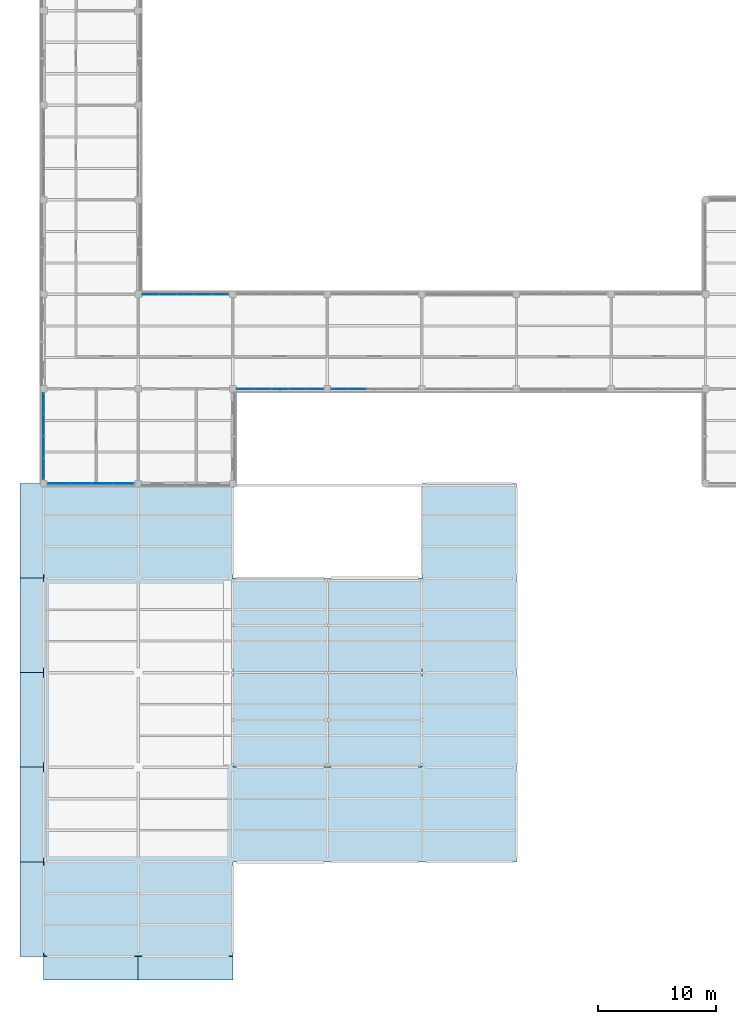
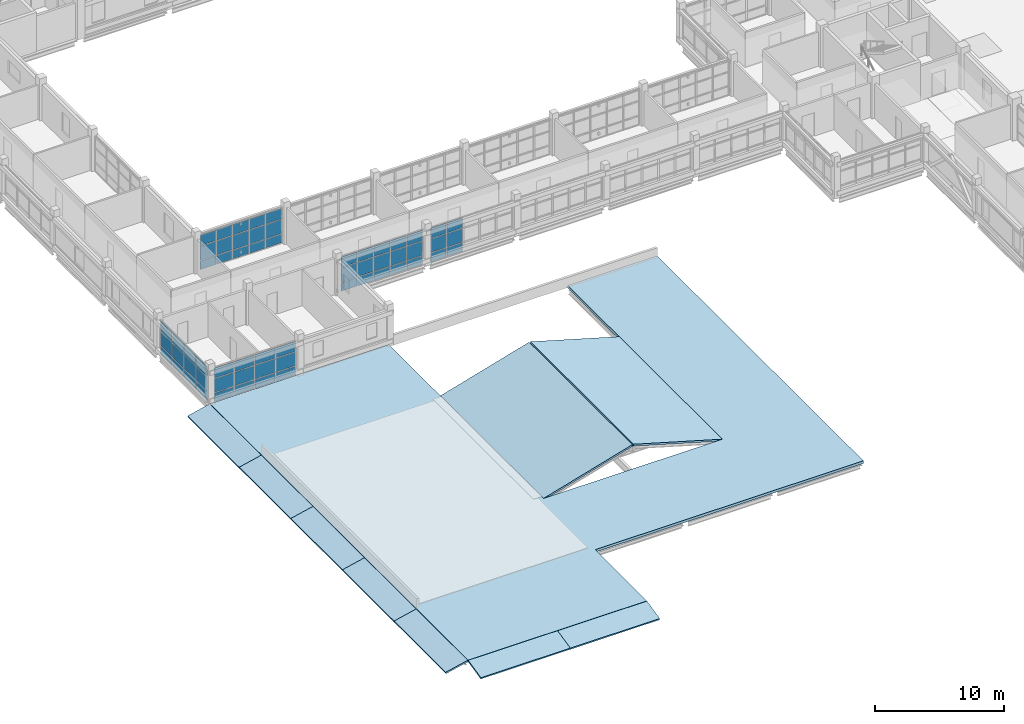
# One storey, part 55 of 107: 60 plates, 10 slabs, 5 elements without a shape of their own.
"""IFC4 building model written with IfcOpenShell, lengths in metres."""

from ifc_helpers import new_model, si_unit, derived_unit, direction, frame, origin, origin_2d, place, context, subcontext, project, spatial, polyline, rectangle, outline, extrude, material, layer, layer_set, type_object, element, aggregate, save


model = new_model("IFC4")

# Units and contexts
model_context = context("Model", 3, precision=1e-05, world=origin(), true_north=direction((0.0, 1.0)))
body_context = subcontext(model_context, "Body", "Model", "MODEL_VIEW")
ifc_project = project(units=[si_unit("LENGTHUNIT", "METRE"), si_unit("AREAUNIT", "SQUARE_METRE"), si_unit("VOLUMEUNIT", "CUBIC_METRE"), si_unit("PLANEANGLEUNIT", "RADIAN"), si_unit("MASSUNIT", "GRAM", prefix="KILO"), derived_unit("THERMALTRANSMITTANCEUNIT", [(si_unit("MASSUNIT", "GRAM", prefix="KILO"), 1), (si_unit("TIMEUNIT", "SECOND"), -3), (si_unit("THERMODYNAMICTEMPERATUREUNIT", "KELVIN"), -1)])], contexts=[model_context])

# Site, building, storey
site_placement = place(None, origin())
site = spatial("IfcSite", under=ifc_project, at=site_placement, CompositionType="ELEMENT")
building_placement = place(site_placement, origin())
building = spatial("IfcBuilding", under=site, at=building_placement, Name="Veyamyaing Civic Hall", CompositionType="ELEMENT")
storey_placement = place(building_placement, frame((0.0, 0.0, 13.860107421875)))
storey = spatial("IfcBuildingStorey", under=building, at=storey_placement, Name="L03", CompositionType="ELEMENT", Elevation=13.860107421875)

# Curtain wall, plates
ifc_material_1 = material(Name="Anodised aluminium 6063-T6", Category="aluminium")
ifc_layer_1 = layer(ifc_material_1, 0.139892578125, Name="Anodised aluminium 6063-T6")
ifc_layer_set_1 = layer_set([ifc_layer_1], Name="Anodised aluminium 6063-T6")
curtain_wall_type_1 = type_object("IfcCurtainWallType", Name="CW-04", PredefinedType="NOTDEFINED", material=ifc_layer_set_1)
curtain_wall_1_placement = place(storey_placement, origin())
curtain_wall_1 = element("IfcCurtainWall", 1, at=curtain_wall_1_placement, inside=storey, type_object=curtain_wall_type_1, Name="Unitized curtain wall CW-04 L03 S 3.7", PredefinedType="NOTDEFINED")
ifc_material_2 = material(Name="Low-E insulated glass", Category="glass")
ifc_layer_2 = layer(ifc_material_2, 0.028076171875, Name="Low-E insulated glass")
ifc_layer_set_2 = layer_set([ifc_layer_2], Name="Low-E insulated glass")
plate_type_1 = type_object("IfcPlateType", Name="CWP-01", PredefinedType="CURTAIN_PANEL", material=ifc_layer_set_2)
plate_1_placement = place(storey_placement, frame((17.05908203125, 48.0, 0.059814453125), z_axis=(0.0, 0.0, 1.0), x_axis=(1.0, 0.0, 0.0)))
plate_1 = element("IfcPlate", 2, at=plate_1_placement, type_object=plate_type_1, Name="CW-04 panel 1.1", PredefinedType="CURTAIN_PANEL", context=body_context, shape_type="SweptSolid", body=[
    extrude(rectangle(XDim=1.387939453125, YDim=0.028076171875, at=origin_2d()), origin(), (0.0, 0.0, 1.0), 0.81005859375),
])
plate_2_placement = place(storey_placement, frame((17.05908203125, 48.0, 0.929931640625), z_axis=(0.0, 0.0, 1.0), x_axis=(1.0, 0.0, 0.0)))
plate_2 = element("IfcPlate", 3, at=plate_2_placement, type_object=plate_type_1, Name="CW-04 panel 1.2", PredefinedType="CURTAIN_PANEL", context=body_context, shape_type="SweptSolid", body=[
    extrude(rectangle(XDim=1.387939453125, YDim=0.028076171875, at=origin_2d()), origin(), (0.0, 0.0, 1.0), 1.32958984375),
])
plate_3_placement = place(storey_placement, frame((17.05908203125, 48.0, 2.319580078125), z_axis=(0.0, 0.0, 1.0), x_axis=(1.0, 0.0, 0.0)))
plate_3 = element("IfcPlate", 4, at=plate_3_placement, type_object=plate_type_1, Name="CW-04 panel 1.3", PredefinedType="CURTAIN_PANEL", context=body_context, shape_type="SweptSolid", body=[
    extrude(rectangle(XDim=1.387939453125, YDim=0.028076171875, at=origin_2d()), origin(), (0.0, 0.0, 1.0), 0.9873046875),
])
plate_4_placement = place(storey_placement, frame((18.52197265625, 48.0, 0.059814453125), z_axis=(0.0, 0.0, 1.0), x_axis=(1.0, 0.0, 0.0)))
plate_4 = element("IfcPlate", 5, at=plate_4_placement, type_object=plate_type_1, Name="CW-04 panel 2.1", PredefinedType="CURTAIN_PANEL", context=body_context, shape_type="SweptSolid", body=[
    extrude(rectangle(XDim=1.41796875, YDim=0.028076171875, at=origin_2d()), origin(), (0.0, 0.0, 1.0), 0.81005859375),
])
plate_5_placement = place(storey_placement, frame((18.52197265625, 48.0, 0.929931640625), z_axis=(0.0, 0.0, 1.0), x_axis=(1.0, 0.0, 0.0)))
plate_5 = element("IfcPlate", 6, at=plate_5_placement, type_object=plate_type_1, Name="CW-04 panel 2.2", PredefinedType="CURTAIN_PANEL", context=body_context, shape_type="SweptSolid", body=[
    extrude(rectangle(XDim=1.41796875, YDim=0.028076171875, at=origin_2d()), origin(), (0.0, 0.0, 1.0), 1.32958984375),
])
plate_6_placement = place(storey_placement, frame((18.52197265625, 48.0, 2.319580078125), z_axis=(0.0, 0.0, 1.0), x_axis=(1.0, 0.0, 0.0)))
plate_6 = element("IfcPlate", 7, at=plate_6_placement, type_object=plate_type_1, Name="CW-04 panel 2.3", PredefinedType="CURTAIN_PANEL", context=body_context, shape_type="SweptSolid", body=[
    extrude(rectangle(XDim=1.41796875, YDim=0.028076171875, at=origin_2d()), origin(), (0.0, 0.0, 1.0), 0.9873046875),
])
plate_7_placement = place(storey_placement, frame((20.0, 48.0, 0.059814453125), z_axis=(0.0, 0.0, 1.0), x_axis=(1.0, 0.0, 0.0)))
plate_7 = element("IfcPlate", 8, at=plate_7_placement, type_object=plate_type_1, Name="CW-04 panel 3.1", PredefinedType="CURTAIN_PANEL", context=body_context, shape_type="SweptSolid", body=[
    extrude(rectangle(XDim=1.41796875, YDim=0.028076171875, at=origin_2d()), origin(), (0.0, 0.0, 1.0), 0.81005859375),
])
plate_8_placement = place(storey_placement, frame((20.0, 48.0, 0.929931640625), z_axis=(0.0, 0.0, 1.0), x_axis=(1.0, 0.0, 0.0)))
plate_8 = element("IfcPlate", 9, at=plate_8_placement, type_object=plate_type_1, Name="CW-04 panel 3.2", PredefinedType="CURTAIN_PANEL", context=body_context, shape_type="SweptSolid", body=[
    extrude(rectangle(XDim=1.41796875, YDim=0.028076171875, at=origin_2d()), origin(), (0.0, 0.0, 1.0), 1.32958984375),
])
plate_9_placement = place(storey_placement, frame((20.0, 48.0, 2.319580078125), z_axis=(0.0, 0.0, 1.0), x_axis=(1.0, 0.0, 0.0)))
plate_9 = element("IfcPlate", 10, at=plate_9_placement, type_object=plate_type_1, Name="CW-04 panel 3.3", PredefinedType="CURTAIN_PANEL", context=body_context, shape_type="SweptSolid", body=[
    extrude(rectangle(XDim=1.41796875, YDim=0.028076171875, at=origin_2d()), origin(), (0.0, 0.0, 1.0), 0.9873046875),
])
plate_10_placement = place(storey_placement, frame((21.47802734375, 48.0, 0.059814453125), z_axis=(0.0, 0.0, 1.0), x_axis=(1.0, 0.0, 0.0)))
plate_10 = element("IfcPlate", 11, at=plate_10_placement, type_object=plate_type_1, Name="CW-04 panel 4.1", PredefinedType="CURTAIN_PANEL", context=body_context, shape_type="SweptSolid", body=[
    extrude(rectangle(XDim=1.41796875, YDim=0.028076171875, at=origin_2d()), origin(), (0.0, 0.0, 1.0), 0.81005859375),
])
plate_11_placement = place(storey_placement, frame((21.47802734375, 48.0, 0.929931640625), z_axis=(0.0, 0.0, 1.0), x_axis=(1.0, 0.0, 0.0)))
plate_11 = element("IfcPlate", 12, at=plate_11_placement, type_object=plate_type_1, Name="CW-04 panel 4.2", PredefinedType="CURTAIN_PANEL", context=body_context, shape_type="SweptSolid", body=[
    extrude(rectangle(XDim=1.41796875, YDim=0.028076171875, at=origin_2d()), origin(), (0.0, 0.0, 1.0), 1.32958984375),
])
plate_12_placement = place(storey_placement, frame((21.47802734375, 48.0, 2.319580078125), z_axis=(0.0, 0.0, 1.0), x_axis=(1.0, 0.0, 0.0)))
plate_12 = element("IfcPlate", 13, at=plate_12_placement, type_object=plate_type_1, Name="CW-04 panel 4.3", PredefinedType="CURTAIN_PANEL", context=body_context, shape_type="SweptSolid", body=[
    extrude(rectangle(XDim=1.41796875, YDim=0.028076171875, at=origin_2d()), origin(), (0.0, 0.0, 1.0), 0.9873046875),
])
plate_13_placement = place(storey_placement, frame((22.94091796875, 48.0, 0.059814453125), z_axis=(0.0, 0.0, 1.0), x_axis=(1.0, 0.0, 0.0)))
plate_13 = element("IfcPlate", 14, at=plate_13_placement, type_object=plate_type_1, Name="CW-04 panel 5.1", PredefinedType="CURTAIN_PANEL", context=body_context, shape_type="SweptSolid", body=[
    extrude(rectangle(XDim=1.387939453125, YDim=0.028076171875, at=origin_2d()), origin(), (0.0, 0.0, 1.0), 0.81005859375),
])
plate_14_placement = place(storey_placement, frame((22.94091796875, 48.0, 0.929931640625), z_axis=(0.0, 0.0, 1.0), x_axis=(1.0, 0.0, 0.0)))
plate_14 = element("IfcPlate", 15, at=plate_14_placement, type_object=plate_type_1, Name="CW-04 panel 5.2", PredefinedType="CURTAIN_PANEL", context=body_context, shape_type="SweptSolid", body=[
    extrude(rectangle(XDim=1.387939453125, YDim=0.028076171875, at=origin_2d()), origin(), (0.0, 0.0, 1.0), 1.32958984375),
])
plate_15_placement = place(storey_placement, frame((22.94091796875, 48.0, 2.319580078125), z_axis=(0.0, 0.0, 1.0), x_axis=(1.0, 0.0, 0.0)))
plate_15 = element("IfcPlate", 16, at=plate_15_placement, type_object=plate_type_1, Name="CW-04 panel 5.3", PredefinedType="CURTAIN_PANEL", context=body_context, shape_type="SweptSolid", body=[
    extrude(rectangle(XDim=1.387939453125, YDim=0.028076171875, at=origin_2d()), origin(), (0.0, 0.0, 1.0), 0.9873046875),
])
aggregate(curtain_wall_1, [plate_1, plate_2, plate_3, plate_4, plate_5, plate_6, plate_7, plate_8, plate_9, plate_10, plate_11, plate_12, plate_13, plate_14, plate_15])

curtain_wall_2_placement = place(storey_placement, origin())
curtain_wall_2 = element("IfcCurtainWall", 17, at=curtain_wall_2_placement, inside=storey, type_object=curtain_wall_type_1, Name="Unitized curtain wall CW-04 L03 S 4.7", PredefinedType="NOTDEFINED")
ifc_layer_3 = layer(ifc_material_2, 0.031982421875, Name="Low-E insulated glass")
ifc_layer_set_3 = layer_set([ifc_layer_3], Name="Low-E insulated glass")
plate_type_2 = type_object("IfcPlateType", Name="CWP-02", PredefinedType="CURTAIN_PANEL", material=ifc_layer_set_3)
plate_16_placement = place(storey_placement, frame((25.05908203125, 48.0, 0.059814453125), z_axis=(0.0, 0.0, 1.0), x_axis=(1.0, 0.0, 0.0)))
plate_16 = element("IfcPlate", 18, at=plate_16_placement, type_object=plate_type_2, Name="CW-04 panel 1.1", PredefinedType="CURTAIN_PANEL", context=body_context, shape_type="SweptSolid", body=[
    extrude(rectangle(XDim=1.387939453125, YDim=0.031982421875, at=origin_2d()), origin(), (0.0, 0.0, 1.0), 0.81005859375),
])
plate_17_placement = place(storey_placement, frame((25.05908203125, 48.0, 0.9296875), z_axis=(0.0, 0.0, 1.0), x_axis=(1.0, 0.0, 0.0)))
plate_17 = element("IfcPlate", 19, at=plate_17_placement, type_object=plate_type_2, Name="CW-04 panel 1.2", PredefinedType="CURTAIN_PANEL", context=body_context, shape_type="SweptSolid", body=[
    extrude(rectangle(XDim=1.387939453125, YDim=0.031982421875, at=origin_2d()), origin(), (0.0, 0.0, 1.0), 1.283935546875),
])
plate_18_placement = place(storey_placement, frame((25.05908203125, 48.0, 2.27392578125), z_axis=(0.0, 0.0, 1.0), x_axis=(1.0, 0.0, 0.0)))
plate_18 = element("IfcPlate", 20, at=plate_18_placement, type_object=plate_type_2, Name="CW-04 panel 1.3", PredefinedType="CURTAIN_PANEL", context=body_context, shape_type="SweptSolid", body=[
    extrude(rectangle(XDim=1.387939453125, YDim=0.031982421875, at=origin_2d()), origin(), (0.0, 0.0, 1.0), 0.966064453125),
])
plate_19_placement = place(storey_placement, frame((26.52197265625, 48.0, 0.059814453125), z_axis=(0.0, 0.0, 1.0), x_axis=(1.0, 0.0, 0.0)))
plate_19 = element("IfcPlate", 21, at=plate_19_placement, type_object=plate_type_2, Name="CW-04 panel 2.1", PredefinedType="CURTAIN_PANEL", context=body_context, shape_type="SweptSolid", body=[
    extrude(rectangle(XDim=1.41796875, YDim=0.031982421875, at=origin_2d()), origin(), (0.0, 0.0, 1.0), 0.81005859375),
])
plate_20_placement = place(storey_placement, frame((26.52197265625, 48.0, 0.9296875), z_axis=(0.0, 0.0, 1.0), x_axis=(1.0, 0.0, 0.0)))
plate_20 = element("IfcPlate", 22, at=plate_20_placement, type_object=plate_type_2, Name="CW-04 panel 2.2", PredefinedType="CURTAIN_PANEL", context=body_context, shape_type="SweptSolid", body=[
    extrude(rectangle(XDim=1.41796875, YDim=0.031982421875, at=origin_2d()), origin(), (0.0, 0.0, 1.0), 1.283935546875),
])
plate_21_placement = place(storey_placement, frame((26.52197265625, 48.0, 2.27392578125), z_axis=(0.0, 0.0, 1.0), x_axis=(1.0, 0.0, 0.0)))
plate_21 = element("IfcPlate", 23, at=plate_21_placement, type_object=plate_type_2, Name="CW-04 panel 2.3", PredefinedType="CURTAIN_PANEL", context=body_context, shape_type="SweptSolid", body=[
    extrude(rectangle(XDim=1.41796875, YDim=0.031982421875, at=origin_2d()), origin(), (0.0, 0.0, 1.0), 0.966064453125),
])
aggregate(curtain_wall_2, [plate_16, plate_17, plate_18, plate_19, plate_20, plate_21])

ifc_layer_4 = layer(ifc_material_1, 0.159912109375, Name="Anodised aluminium 6063-T6")
ifc_layer_set_4 = layer_set([ifc_layer_4], Name="Anodised aluminium 6063-T6")
curtain_wall_type_2 = type_object("IfcCurtainWallType", Name="CW-07", PredefinedType="NOTDEFINED", material=ifc_layer_set_4)
curtain_wall_3_placement = place(storey_placement, origin())
curtain_wall_3 = element("IfcCurtainWall", 24, at=curtain_wall_3_placement, inside=storey, type_object=curtain_wall_type_2, Name="Unitized curtain wall CW-07 L03 S 1.6", PredefinedType="NOTDEFINED")
ifc_layer_5 = layer(ifc_material_2, 0.02392578125, Name="Low-E insulated glass")
ifc_layer_set_5 = layer_set([ifc_layer_5], Name="Low-E insulated glass")
plate_type_3 = type_object("IfcPlateType", Name="CWP-04", PredefinedType="CURTAIN_PANEL", material=ifc_layer_set_5)
plate_22_placement = place(storey_placement, frame((1.2451171875, 40.0, 0.06494140625), z_axis=(0.0, 0.0, 1.0), x_axis=(1.0, 0.0, 0.0)))
plate_22 = element("IfcPlate", 25, at=plate_22_placement, type_object=plate_type_3, Name="CW-07 panel 1.1", PredefinedType="CURTAIN_PANEL", context=body_context, shape_type="SweptSolid", body=[
    extrude(rectangle(XDim=1.75, YDim=0.02392578125, at=origin_2d()), origin(), (0.0, 0.0, 1.0), 0.802490234375),
])
plate_23_placement = place(storey_placement, frame((1.2451171875, 40.0, 0.93212890625), z_axis=(0.0, 0.0, 1.0), x_axis=(1.0, 0.0, 0.0)))
plate_23 = element("IfcPlate", 26, at=plate_23_placement, type_object=plate_type_3, Name="CW-07 panel 1.2", PredefinedType="CURTAIN_PANEL", context=body_context, shape_type="SweptSolid", body=[
    extrude(rectangle(XDim=1.75, YDim=0.02392578125, at=origin_2d()), origin(), (0.0, 0.0, 1.0), 1.279052734375),
])
plate_24_placement = place(storey_placement, frame((1.2451171875, 40.0, 2.2763671875), z_axis=(0.0, 0.0, 1.0), x_axis=(1.0, 0.0, 0.0)))
plate_24 = element("IfcPlate", 27, at=plate_24_placement, type_object=plate_type_3, Name="CW-07 panel 1.3", PredefinedType="CURTAIN_PANEL", context=body_context, shape_type="SweptSolid", body=[
    extrude(rectangle(XDim=1.75, YDim=0.02392578125, at=origin_2d()), origin(), (0.0, 0.0, 1.0), 0.95849609375),
])
plate_25_placement = place(storey_placement, frame((3.076171875, 40.0, 0.06494140625), z_axis=(0.0, 0.0, 1.0), x_axis=(1.0, 0.0, 0.0)))
plate_25 = element("IfcPlate", 28, at=plate_25_placement, type_object=plate_type_3, Name="CW-07 panel 2.1", PredefinedType="CURTAIN_PANEL", context=body_context, shape_type="SweptSolid", body=[
    extrude(rectangle(XDim=1.782470703125, YDim=0.02392578125, at=origin_2d()), origin(), (0.0, 0.0, 1.0), 0.802490234375),
])
plate_26_placement = place(storey_placement, frame((3.076171875, 40.0, 0.93212890625), z_axis=(0.0, 0.0, 1.0), x_axis=(1.0, 0.0, 0.0)))
plate_26 = element("IfcPlate", 29, at=plate_26_placement, type_object=plate_type_3, Name="CW-07 panel 2.2", PredefinedType="CURTAIN_PANEL", context=body_context, shape_type="SweptSolid", body=[
    extrude(rectangle(XDim=1.782470703125, YDim=0.02392578125, at=origin_2d()), origin(), (0.0, 0.0, 1.0), 1.279052734375),
])
plate_27_placement = place(storey_placement, frame((3.076171875, 40.0, 2.2763671875), z_axis=(0.0, 0.0, 1.0), x_axis=(1.0, 0.0, 0.0)))
plate_27 = element("IfcPlate", 30, at=plate_27_placement, type_object=plate_type_3, Name="CW-07 panel 2.3", PredefinedType="CURTAIN_PANEL", context=body_context, shape_type="SweptSolid", body=[
    extrude(rectangle(XDim=1.782470703125, YDim=0.02392578125, at=origin_2d()), origin(), (0.0, 0.0, 1.0), 0.95849609375),
])
plate_28_placement = place(storey_placement, frame((4.923828125, 40.0, 0.06494140625), z_axis=(0.0, 0.0, 1.0), x_axis=(1.0, 0.0, 0.0)))
plate_28 = element("IfcPlate", 31, at=plate_28_placement, type_object=plate_type_3, Name="CW-07 panel 3.1", PredefinedType="CURTAIN_PANEL", context=body_context, shape_type="SweptSolid", body=[
    extrude(rectangle(XDim=1.782470703125, YDim=0.02392578125, at=origin_2d()), origin(), (0.0, 0.0, 1.0), 0.802490234375),
])
plate_29_placement = place(storey_placement, frame((4.923828125, 40.0, 0.93212890625), z_axis=(0.0, 0.0, 1.0), x_axis=(1.0, 0.0, 0.0)))
plate_29 = element("IfcPlate", 32, at=plate_29_placement, type_object=plate_type_3, Name="CW-07 panel 3.2", PredefinedType="CURTAIN_PANEL", context=body_context, shape_type="SweptSolid", body=[
    extrude(rectangle(XDim=1.782470703125, YDim=0.02392578125, at=origin_2d()), origin(), (0.0, 0.0, 1.0), 1.279052734375),
])
plate_30_placement = place(storey_placement, frame((4.923828125, 40.0, 2.2763671875), z_axis=(0.0, 0.0, 1.0), x_axis=(1.0, 0.0, 0.0)))
plate_30 = element("IfcPlate", 33, at=plate_30_placement, type_object=plate_type_3, Name="CW-07 panel 3.3", PredefinedType="CURTAIN_PANEL", context=body_context, shape_type="SweptSolid", body=[
    extrude(rectangle(XDim=1.782470703125, YDim=0.02392578125, at=origin_2d()), origin(), (0.0, 0.0, 1.0), 0.95849609375),
])
plate_31_placement = place(storey_placement, frame((6.7548828125, 40.0, 0.06494140625), z_axis=(0.0, 0.0, 1.0), x_axis=(1.0, 0.0, 0.0)))
plate_31 = element("IfcPlate", 34, at=plate_31_placement, type_object=plate_type_3, Name="CW-07 panel 4.1", PredefinedType="CURTAIN_PANEL", context=body_context, shape_type="SweptSolid", body=[
    extrude(rectangle(XDim=1.75, YDim=0.02392578125, at=origin_2d()), origin(), (0.0, 0.0, 1.0), 0.802490234375),
])
plate_32_placement = place(storey_placement, frame((6.7548828125, 40.0, 0.93212890625), z_axis=(0.0, 0.0, 1.0), x_axis=(1.0, 0.0, 0.0)))
plate_32 = element("IfcPlate", 35, at=plate_32_placement, type_object=plate_type_3, Name="CW-07 panel 4.2", PredefinedType="CURTAIN_PANEL", context=body_context, shape_type="SweptSolid", body=[
    extrude(rectangle(XDim=1.75, YDim=0.02392578125, at=origin_2d()), origin(), (0.0, 0.0, 1.0), 1.279052734375),
])
plate_33_placement = place(storey_placement, frame((6.7548828125, 40.0, 2.2763671875), z_axis=(0.0, 0.0, 1.0), x_axis=(1.0, 0.0, 0.0)))
plate_33 = element("IfcPlate", 36, at=plate_33_placement, type_object=plate_type_3, Name="CW-07 panel 4.3", PredefinedType="CURTAIN_PANEL", context=body_context, shape_type="SweptSolid", body=[
    extrude(rectangle(XDim=1.75, YDim=0.02392578125, at=origin_2d()), origin(), (0.0, 0.0, 1.0), 0.95849609375),
])
aggregate(curtain_wall_3, [plate_22, plate_23, plate_24, plate_25, plate_26, plate_27, plate_28, plate_29, plate_30, plate_31, plate_32, plate_33])

curtain_wall_4_placement = place(storey_placement, origin())
curtain_wall_4 = element("IfcCurtainWall", 37, at=curtain_wall_4_placement, inside=storey, type_object=curtain_wall_type_2, Name="Unitized curtain wall CW-07 L03 W 1.6", PredefinedType="NOTDEFINED")
plate_34_placement = place(storey_placement, frame((0.0, 41.2451171875, 0.06494140625), z_axis=(0.0, 0.0, 1.0), x_axis=(0.0, 1.0, 0.0)))
plate_34 = element("IfcPlate", 38, at=plate_34_placement, type_object=plate_type_3, Name="CW-07 panel 1.1", PredefinedType="CURTAIN_PANEL", context=body_context, shape_type="SweptSolid", body=[
    extrude(rectangle(XDim=1.75, YDim=0.02392578125, at=origin_2d()), origin(), (0.0, 0.0, 1.0), 0.802490234375),
])
plate_35_placement = place(storey_placement, frame((0.0, 41.2451171875, 0.93212890625), z_axis=(0.0, 0.0, 1.0), x_axis=(0.0, 1.0, 0.0)))
plate_35 = element("IfcPlate", 39, at=plate_35_placement, type_object=plate_type_3, Name="CW-07 panel 1.2", PredefinedType="CURTAIN_PANEL", context=body_context, shape_type="SweptSolid", body=[
    extrude(rectangle(XDim=1.75, YDim=0.02392578125, at=origin_2d()), origin(), (0.0, 0.0, 1.0), 1.279052734375),
])
plate_36_placement = place(storey_placement, frame((0.0, 41.2451171875, 2.2763671875), z_axis=(0.0, 0.0, 1.0), x_axis=(0.0, 1.0, 0.0)))
plate_36 = element("IfcPlate", 40, at=plate_36_placement, type_object=plate_type_3, Name="CW-07 panel 1.3", PredefinedType="CURTAIN_PANEL", context=body_context, shape_type="SweptSolid", body=[
    extrude(rectangle(XDim=1.75, YDim=0.02392578125, at=origin_2d()), origin(), (0.0, 0.0, 1.0), 0.95849609375),
])
plate_37_placement = place(storey_placement, frame((0.0, 43.076171875, 0.06494140625), z_axis=(0.0, 0.0, 1.0), x_axis=(0.0, 1.0, 0.0)))
plate_37 = element("IfcPlate", 41, at=plate_37_placement, type_object=plate_type_3, Name="CW-07 panel 2.1", PredefinedType="CURTAIN_PANEL", context=body_context, shape_type="SweptSolid", body=[
    extrude(rectangle(XDim=1.782470703125, YDim=0.02392578125, at=origin_2d()), origin(), (0.0, 0.0, 1.0), 0.802490234375),
])
plate_38_placement = place(storey_placement, frame((0.0, 43.076171875, 0.93212890625), z_axis=(0.0, 0.0, 1.0), x_axis=(0.0, 1.0, 0.0)))
plate_38 = element("IfcPlate", 42, at=plate_38_placement, type_object=plate_type_3, Name="CW-07 panel 2.2", PredefinedType="CURTAIN_PANEL", context=body_context, shape_type="SweptSolid", body=[
    extrude(rectangle(XDim=1.782470703125, YDim=0.02392578125, at=origin_2d()), origin(), (0.0, 0.0, 1.0), 1.279052734375),
])
plate_39_placement = place(storey_placement, frame((0.0, 43.076171875, 2.2763671875), z_axis=(0.0, 0.0, 1.0), x_axis=(0.0, 1.0, 0.0)))
plate_39 = element("IfcPlate", 43, at=plate_39_placement, type_object=plate_type_3, Name="CW-07 panel 2.3", PredefinedType="CURTAIN_PANEL", context=body_context, shape_type="SweptSolid", body=[
    extrude(rectangle(XDim=1.782470703125, YDim=0.02392578125, at=origin_2d()), origin(), (0.0, 0.0, 1.0), 0.95849609375),
])
plate_40_placement = place(storey_placement, frame((0.0, 44.923828125, 0.06494140625), z_axis=(0.0, 0.0, 1.0), x_axis=(0.0, 1.0, 0.0)))
plate_40 = element("IfcPlate", 44, at=plate_40_placement, type_object=plate_type_3, Name="CW-07 panel 3.1", PredefinedType="CURTAIN_PANEL", context=body_context, shape_type="SweptSolid", body=[
    extrude(rectangle(XDim=1.782470703125, YDim=0.02392578125, at=origin_2d()), origin(), (0.0, 0.0, 1.0), 0.802490234375),
])
plate_41_placement = place(storey_placement, frame((0.0, 44.923828125, 0.93212890625), z_axis=(0.0, 0.0, 1.0), x_axis=(0.0, 1.0, 0.0)))
plate_41 = element("IfcPlate", 45, at=plate_41_placement, type_object=plate_type_3, Name="CW-07 panel 3.2", PredefinedType="CURTAIN_PANEL", context=body_context, shape_type="SweptSolid", body=[
    extrude(rectangle(XDim=1.782470703125, YDim=0.02392578125, at=origin_2d()), origin(), (0.0, 0.0, 1.0), 1.279052734375),
])
plate_42_placement = place(storey_placement, frame((0.0, 44.923828125, 2.2763671875), z_axis=(0.0, 0.0, 1.0), x_axis=(0.0, 1.0, 0.0)))
plate_42 = element("IfcPlate", 46, at=plate_42_placement, type_object=plate_type_3, Name="CW-07 panel 3.3", PredefinedType="CURTAIN_PANEL", context=body_context, shape_type="SweptSolid", body=[
    extrude(rectangle(XDim=1.782470703125, YDim=0.02392578125, at=origin_2d()), origin(), (0.0, 0.0, 1.0), 0.95849609375),
])
plate_43_placement = place(storey_placement, frame((0.0, 46.7548828125, 0.06494140625), z_axis=(0.0, 0.0, 1.0), x_axis=(0.0, 1.0, 0.0)))
plate_43 = element("IfcPlate", 47, at=plate_43_placement, type_object=plate_type_3, Name="CW-07 panel 4.1", PredefinedType="CURTAIN_PANEL", context=body_context, shape_type="SweptSolid", body=[
    extrude(rectangle(XDim=1.75, YDim=0.02392578125, at=origin_2d()), origin(), (0.0, 0.0, 1.0), 0.802490234375),
])
plate_44_placement = place(storey_placement, frame((0.0, 46.7548828125, 0.93212890625), z_axis=(0.0, 0.0, 1.0), x_axis=(0.0, 1.0, 0.0)))
plate_44 = element("IfcPlate", 48, at=plate_44_placement, type_object=plate_type_3, Name="CW-07 panel 4.2", PredefinedType="CURTAIN_PANEL", context=body_context, shape_type="SweptSolid", body=[
    extrude(rectangle(XDim=1.75, YDim=0.02392578125, at=origin_2d()), origin(), (0.0, 0.0, 1.0), 1.279052734375),
])
plate_45_placement = place(storey_placement, frame((0.0, 46.7548828125, 2.2763671875), z_axis=(0.0, 0.0, 1.0), x_axis=(0.0, 1.0, 0.0)))
plate_45 = element("IfcPlate", 49, at=plate_45_placement, type_object=plate_type_3, Name="CW-07 panel 4.3", PredefinedType="CURTAIN_PANEL", context=body_context, shape_type="SweptSolid", body=[
    extrude(rectangle(XDim=1.75, YDim=0.02392578125, at=origin_2d()), origin(), (0.0, 0.0, 1.0), 0.95849609375),
])
aggregate(curtain_wall_4, [plate_34, plate_35, plate_36, plate_37, plate_38, plate_39, plate_40, plate_41, plate_42, plate_43, plate_44, plate_45])

curtain_wall_5_placement = place(storey_placement, origin())
curtain_wall_5 = element("IfcCurtainWall", 50, at=curtain_wall_5_placement, inside=storey, type_object=curtain_wall_type_1, Name="Unitized curtain wall CW-04 L03 N 2.7", PredefinedType="NOTDEFINED")
ifc_layer_6 = layer(ifc_material_2, 0.02197265625, Name="Low-E insulated glass")
ifc_layer_set_6 = layer_set([ifc_layer_6], Name="Low-E insulated glass")
plate_type_4 = type_object("IfcPlateType", Name="CWP-06", PredefinedType="CURTAIN_PANEL", material=ifc_layer_set_6)
plate_46_placement = place(storey_placement, frame((9.05908203125, 56.0, 0.059814453125), z_axis=(0.0, 0.0, 1.0), x_axis=(1.0, 0.0, 0.0)))
plate_46 = element("IfcPlate", 51, at=plate_46_placement, type_object=plate_type_4, Name="CW-04 panel 1.1", PredefinedType="CURTAIN_PANEL", context=body_context, shape_type="SweptSolid", body=[
    extrude(rectangle(XDim=1.387939453125, YDim=0.02197265625, at=origin_2d()), origin(), (0.0, 0.0, 1.0), 0.81005859375),
])
plate_47_placement = place(storey_placement, frame((9.05908203125, 56.0, 0.929931640625), z_axis=(0.0, 0.0, 1.0), x_axis=(1.0, 0.0, 0.0)))
plate_47 = element("IfcPlate", 52, at=plate_47_placement, type_object=plate_type_4, Name="CW-04 panel 1.2", PredefinedType="CURTAIN_PANEL", context=body_context, shape_type="SweptSolid", body=[
    extrude(rectangle(XDim=1.387939453125, YDim=0.02197265625, at=origin_2d()), origin(), (0.0, 0.0, 1.0), 1.32958984375),
])
plate_48_placement = place(storey_placement, frame((9.05908203125, 56.0, 2.319580078125), z_axis=(0.0, 0.0, 1.0), x_axis=(1.0, 0.0, 0.0)))
plate_48 = element("IfcPlate", 53, at=plate_48_placement, type_object=plate_type_4, Name="CW-04 panel 1.3", PredefinedType="CURTAIN_PANEL", context=body_context, shape_type="SweptSolid", body=[
    extrude(rectangle(XDim=1.387939453125, YDim=0.02197265625, at=origin_2d()), origin(), (0.0, 0.0, 1.0), 0.9873046875),
])
plate_49_placement = place(storey_placement, frame((10.52197265625, 56.0, 0.059814453125), z_axis=(0.0, 0.0, 1.0), x_axis=(1.0, 0.0, 0.0)))
plate_49 = element("IfcPlate", 54, at=plate_49_placement, type_object=plate_type_4, Name="CW-04 panel 2.1", PredefinedType="CURTAIN_PANEL", context=body_context, shape_type="SweptSolid", body=[
    extrude(rectangle(XDim=1.41796875, YDim=0.02197265625, at=origin_2d()), origin(), (0.0, 0.0, 1.0), 0.81005859375),
])
plate_50_placement = place(storey_placement, frame((10.52197265625, 56.0, 0.929931640625), z_axis=(0.0, 0.0, 1.0), x_axis=(1.0, 0.0, 0.0)))
plate_50 = element("IfcPlate", 55, at=plate_50_placement, type_object=plate_type_4, Name="CW-04 panel 2.2", PredefinedType="CURTAIN_PANEL", context=body_context, shape_type="SweptSolid", body=[
    extrude(rectangle(XDim=1.41796875, YDim=0.02197265625, at=origin_2d()), origin(), (0.0, 0.0, 1.0), 1.32958984375),
])
plate_51_placement = place(storey_placement, frame((10.52197265625, 56.0, 2.319580078125), z_axis=(0.0, 0.0, 1.0), x_axis=(1.0, 0.0, 0.0)))
plate_51 = element("IfcPlate", 56, at=plate_51_placement, type_object=plate_type_4, Name="CW-04 panel 2.3", PredefinedType="CURTAIN_PANEL", context=body_context, shape_type="SweptSolid", body=[
    extrude(rectangle(XDim=1.41796875, YDim=0.02197265625, at=origin_2d()), origin(), (0.0, 0.0, 1.0), 0.9873046875),
])
plate_52_placement = place(storey_placement, frame((12.0, 56.0, 0.059814453125), z_axis=(0.0, 0.0, 1.0), x_axis=(1.0, 0.0, 0.0)))
plate_52 = element("IfcPlate", 57, at=plate_52_placement, type_object=plate_type_4, Name="CW-04 panel 3.1", PredefinedType="CURTAIN_PANEL", context=body_context, shape_type="SweptSolid", body=[
    extrude(rectangle(XDim=1.41796875, YDim=0.02197265625, at=origin_2d()), origin(), (0.0, 0.0, 1.0), 0.81005859375),
])
plate_53_placement = place(storey_placement, frame((12.0, 56.0, 0.929931640625), z_axis=(0.0, 0.0, 1.0), x_axis=(1.0, 0.0, 0.0)))
plate_53 = element("IfcPlate", 58, at=plate_53_placement, type_object=plate_type_4, Name="CW-04 panel 3.2", PredefinedType="CURTAIN_PANEL", context=body_context, shape_type="SweptSolid", body=[
    extrude(rectangle(XDim=1.41796875, YDim=0.02197265625, at=origin_2d()), origin(), (0.0, 0.0, 1.0), 1.32958984375),
])
plate_54_placement = place(storey_placement, frame((12.0, 56.0, 2.319580078125), z_axis=(0.0, 0.0, 1.0), x_axis=(1.0, 0.0, 0.0)))
plate_54 = element("IfcPlate", 59, at=plate_54_placement, type_object=plate_type_4, Name="CW-04 panel 3.3", PredefinedType="CURTAIN_PANEL", context=body_context, shape_type="SweptSolid", body=[
    extrude(rectangle(XDim=1.41796875, YDim=0.02197265625, at=origin_2d()), origin(), (0.0, 0.0, 1.0), 0.9873046875),
])
plate_55_placement = place(storey_placement, frame((13.47802734375, 56.0, 0.059814453125), z_axis=(0.0, 0.0, 1.0), x_axis=(1.0, 0.0, 0.0)))
plate_55 = element("IfcPlate", 60, at=plate_55_placement, type_object=plate_type_4, Name="CW-04 panel 4.1", PredefinedType="CURTAIN_PANEL", context=body_context, shape_type="SweptSolid", body=[
    extrude(rectangle(XDim=1.41796875, YDim=0.02197265625, at=origin_2d()), origin(), (0.0, 0.0, 1.0), 0.81005859375),
])
plate_56_placement = place(storey_placement, frame((13.47802734375, 56.0, 0.929931640625), z_axis=(0.0, 0.0, 1.0), x_axis=(1.0, 0.0, 0.0)))
plate_56 = element("IfcPlate", 61, at=plate_56_placement, type_object=plate_type_4, Name="CW-04 panel 4.2", PredefinedType="CURTAIN_PANEL", context=body_context, shape_type="SweptSolid", body=[
    extrude(rectangle(XDim=1.41796875, YDim=0.02197265625, at=origin_2d()), origin(), (0.0, 0.0, 1.0), 1.32958984375),
])
plate_57_placement = place(storey_placement, frame((13.47802734375, 56.0, 2.319580078125), z_axis=(0.0, 0.0, 1.0), x_axis=(1.0, 0.0, 0.0)))
plate_57 = element("IfcPlate", 62, at=plate_57_placement, type_object=plate_type_4, Name="CW-04 panel 4.3", PredefinedType="CURTAIN_PANEL", context=body_context, shape_type="SweptSolid", body=[
    extrude(rectangle(XDim=1.41796875, YDim=0.02197265625, at=origin_2d()), origin(), (0.0, 0.0, 1.0), 0.9873046875),
])
plate_58_placement = place(storey_placement, frame((14.94091796875, 56.0, 0.059814453125), z_axis=(0.0, 0.0, 1.0), x_axis=(1.0, 0.0, 0.0)))
plate_58 = element("IfcPlate", 63, at=plate_58_placement, type_object=plate_type_4, Name="CW-04 panel 5.1", PredefinedType="CURTAIN_PANEL", context=body_context, shape_type="SweptSolid", body=[
    extrude(rectangle(XDim=1.387939453125, YDim=0.02197265625, at=origin_2d()), origin(), (0.0, 0.0, 1.0), 0.81005859375),
])
plate_59_placement = place(storey_placement, frame((14.94091796875, 56.0, 0.929931640625), z_axis=(0.0, 0.0, 1.0), x_axis=(1.0, 0.0, 0.0)))
plate_59 = element("IfcPlate", 64, at=plate_59_placement, type_object=plate_type_4, Name="CW-04 panel 5.2", PredefinedType="CURTAIN_PANEL", context=body_context, shape_type="SweptSolid", body=[
    extrude(rectangle(XDim=1.387939453125, YDim=0.02197265625, at=origin_2d()), origin(), (0.0, 0.0, 1.0), 1.32958984375),
])
plate_60_placement = place(storey_placement, frame((14.94091796875, 56.0, 2.319580078125), z_axis=(0.0, 0.0, 1.0), x_axis=(1.0, 0.0, 0.0)))
plate_60 = element("IfcPlate", 65, at=plate_60_placement, type_object=plate_type_4, Name="CW-04 panel 5.3", PredefinedType="CURTAIN_PANEL", context=body_context, shape_type="SweptSolid", body=[
    extrude(rectangle(XDim=1.387939453125, YDim=0.02197265625, at=origin_2d()), origin(), (0.0, 0.0, 1.0), 0.9873046875),
])
aggregate(curtain_wall_5, [plate_46, plate_47, plate_48, plate_49, plate_50, plate_51, plate_52, plate_53, plate_54, plate_55, plate_56, plate_57, plate_58, plate_59, plate_60])

# Slabs
ifc_material_3 = material(Name="Concrete C40/50", Category="concrete")
ifc_layer_7 = layer(ifc_material_3, 0.169921875, Name="Concrete C40/50")
ifc_layer_set_7 = layer_set([ifc_layer_7], Name="Concrete C40/50")
slab_type_1 = type_object("IfcSlabType", Name="SL-12", PredefinedType="ROOF", material=ifc_layer_set_7)
for number, where, z_axis, x_axis, name in (
    (66, (16.0, 16.0, 0.0), (-0.278214407226, 0.0, 0.960518997007), (0.960518997007, 0.0, 0.278214407226), "Public Hall Sloped Lantern Roof Slab SL-12 W"),
    (67, (24.06005859375, 16.0, 2.2998046875), (0.278214407226, 0.0, 0.960518997007), (0.960518997007, 0.0, -0.278214407226), "Public Hall Sloped Lantern Roof Slab SL-12 E"),
):
    element("IfcSlab", number, at=place(storey_placement, frame(where, z_axis=z_axis, x_axis=x_axis)), inside=storey, type_object=slab_type_1, Name=name, PredefinedType="ROOF", context=body_context, shape_type="SweptSolid", body=[
        extrude(outline(polyline([(0.0, 0.0), (8.266303353696271, 0.0), (8.266303353696271, 16.000000000000004), (0.0, 16.000000000000004), (0.0, 0.0)])), origin(), (0.0, 0.0, -1.0), 0.169921875),
    ])
ifc_layer_8 = layer(ifc_material_3, 0.14990234375, Name="Concrete C40/50")
ifc_layer_set_8 = layer_set([ifc_layer_8], Name="Concrete C40/50")
slab_type_2 = type_object("IfcSlabType", Name="SL-13", PredefinedType="ROOF", material=ifc_layer_set_8)
for number, where, z_axis, x_axis, name in (
    (68, (-2.0, 0.0, -0.4501953125), (-0.221506878985, 0.0, 0.975158808893), (0.975158808893, 0.0, 0.221506878985), "Sacak overhanging monsoon eave slab SL-13 V2-W.1"),
    (69, (-2.0, 8.0, -0.4501953125), (-0.221506878985, 0.0, 0.975158808893), (0.975158808893, 0.0, 0.221506878985), "Sacak overhanging monsoon eave slab SL-13 V2-W.2"),
    (70, (-2.0, 16.0, -0.4501953125), (-0.221506878985, 0.0, 0.975158808893), (0.975158808893, 0.0, 0.221506878985), "Sacak overhanging monsoon eave slab SL-13 V2-W.3"),
    (71, (-2.0, 24.0, -0.4501953125), (-0.221506878985, 0.0, 0.975158808893), (0.975158808893, 0.0, 0.221506878985), "Sacak overhanging monsoon eave slab SL-13 V2-W.4"),
    (72, (-2.0, 32.0, -0.4501953125), (-0.221506878985, 0.0, 0.975158808893), (0.975158808893, 0.0, 0.221506878985), "Sacak overhanging monsoon eave slab SL-13 V2-W.5"),
):
    element("IfcSlab", number, at=place(storey_placement, frame(where, z_axis=z_axis, x_axis=x_axis)), inside=storey, type_object=slab_type_2, Name=name, PredefinedType="ROOF", context=body_context, shape_type="SweptSolid", body=[
        extrude(outline(polyline([(0.0, 0.0), (2.0324213611925463, 0.0), (2.0324213611925463, 8.0), (0.0, 8.0), (0.0, 0.0)])), origin(), (0.0, 0.0, -1.0), 0.14990234375),
    ])
for number, where, z_axis, x_axis, name in (
    (73, (0.0, -2.0, -0.4501953125), (0.0, -0.221506878985, 0.975158808893), (1.0, 0.0, 0.0), "Sacak overhanging monsoon eave slab SL-13 V2-S.1"),
    (74, (8.0, -2.0, -0.4501953125), (0.0, -0.221506878985, 0.975158808893), (1.0, 0.0, 0.0), "Sacak overhanging monsoon eave slab SL-13 V2-S.2"),
):
    element("IfcSlab", number, at=place(storey_placement, frame(where, z_axis=z_axis, x_axis=x_axis)), inside=storey, type_object=slab_type_2, Name=name, PredefinedType="ROOF", context=body_context, shape_type="SweptSolid", body=[
        extrude(outline(polyline([(0.0, 0.0), (8.0, 0.0), (8.0, 2.0324213611925463), (0.0, 2.0324213611925463), (0.0, 0.0)])), origin(), (0.0, 0.0, -1.0), 0.14990234375),
    ])
ifc_layer_9 = layer(ifc_material_3, 0.239990234375, Name="Concrete C40/50")
ifc_layer_set_9 = layer_set([ifc_layer_9], Name="Concrete C40/50")
slab_type_3 = type_object("IfcSlabType", Name="SL-15", PredefinedType="ROOF", material=ifc_layer_set_9)
slab_placement = place(storey_placement, frame((0.0, 0.0, -0.239990234375)))
element("IfcSlab", 75, at=slab_placement, inside=storey, type_object=slab_type_3, Name="Roof slab SL-15 L03 V2.1", PredefinedType="ROOF", context=body_context, shape_type="SweptSolid", body=[
    extrude(outline(polyline([(0.0, 0.0), (0.0, 40.0), (16.0, 40.0), (16.0, 16.0), (32.0, 16.0), (32.0, 40.0), (40.0, 40.0), (40.0, 8.0), (16.0, 8.0), (16.0, 0.0), (0.0, 0.0)])), origin(), (0.0, 0.0, 1.0), 0.239990234375),
])

save(model, "model.ifc")
